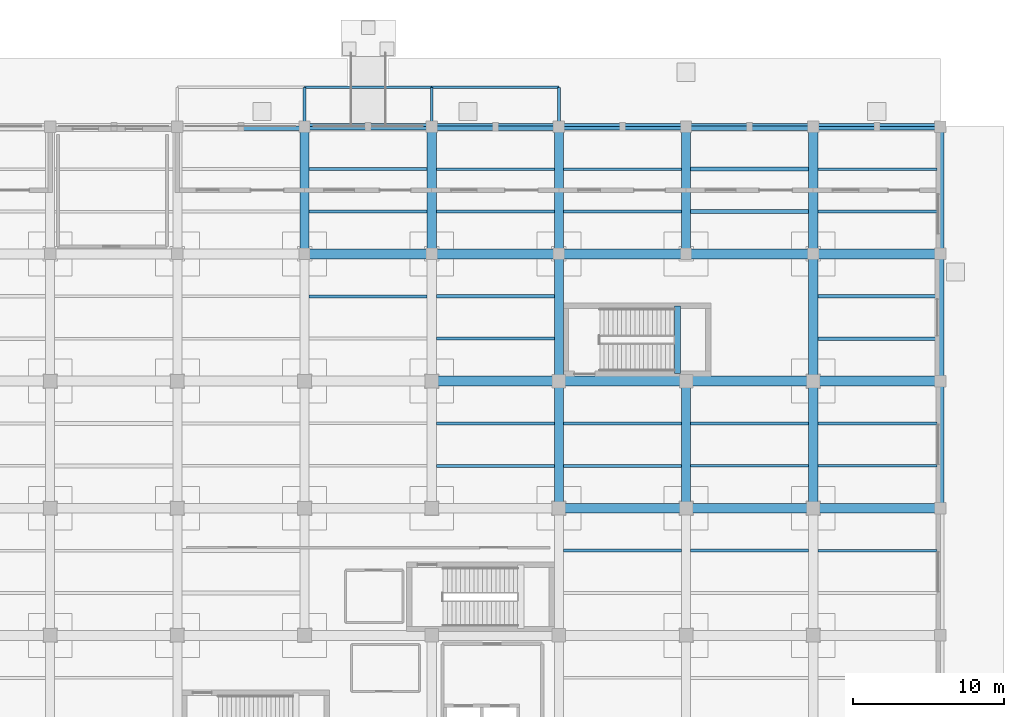
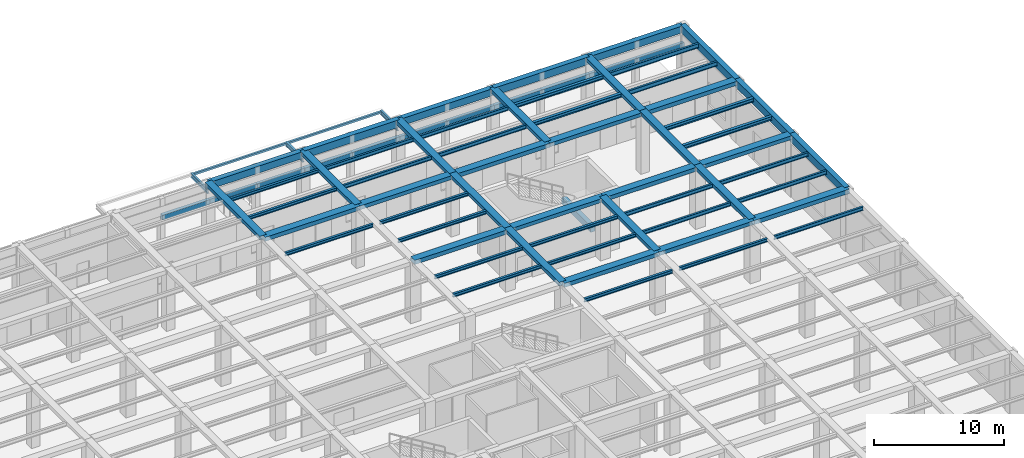
# One storey, part 15 of 43: 71 beams, 2 members.
"""IFC4 building model written with IfcOpenShell, lengths in metres."""

import ifcopenshell
import ifcopenshell.guid

model = None  # the IFC model being written
_history = None  # IfcOwnerHistory: only IFC2X3 demands one
_inside = {}  # id of a spatial element -> (the spatial element, [elements in it])
_under = {}  # id of a project, library or spatial element -> (it, [spatial elements below it])
_declared = {}  # id of a project -> (the project, [libraries it declares])
_typed = {}  # id of a type object -> (the type object, [elements of that type])
_made_of = {}  # id of a material, layer set ... -> (it, [elements and type objects made of it])


def new_model(schema):
    """Start an empty IFC model of exactly this schema.

    Asked for "IFC4X3", IfcOpenShell would pick the latest addendum, in which some entities
    have other attributes; the version numbers below select the first issue.
    IFC2X3 requires an IfcOwnerHistory on every rooted entity: one is made here for all.
    """
    global model, _history
    if schema == "IFC4X3":
        model = ifcopenshell.file(schema_version=(4, 3, 0, 0))
    else:
        model = ifcopenshell.file(schema=schema)
    _inside.clear()
    _under.clear()
    _declared.clear()
    _typed.clear()
    _made_of.clear()
    _history = None
    if model.schema == "IFC2X3":
        org = make("IfcOrganization", Name="unknown")
        user = make(
            "IfcPersonAndOrganization",
            ThePerson=make("IfcPerson", FamilyName="unknown"),
            TheOrganization=org,
        )
        app = make(
            "IfcApplication",
            ApplicationDeveloper=org,
            Version="unknown",
            ApplicationFullName="unknown",
            ApplicationIdentifier="unknown",
        )
        _history = make(
            "IfcOwnerHistory",
            OwningUser=user,
            OwningApplication=app,
            ChangeAction="ADDED",
            CreationDate=0,
        )
    return model


def make(cls, **values):
    """One entity of the class cls with the attributes given. An attribute that is None is left unset."""
    return model.create_entity(
        cls, **{name: value for name, value in values.items() if value is not None}
    )


def rooted(cls, **values):
    """An entity with a GlobalId (a new one), such as an element, a storey or a relation."""
    return make(cls, GlobalId=ifcopenshell.guid.new(), OwnerHistory=_history, **values)


def si_unit(unit_type, name, prefix=None):
    """IfcSIUnit, for example si_unit("LENGTHUNIT", "METRE", prefix="MILLI")."""
    return make("IfcSIUnit", UnitType=unit_type, Prefix=prefix, Name=name)


def assignment(units):
    """IfcUnitAssignment: the units of a project."""
    return None if units is None else make("IfcUnitAssignment", Units=units)


def point(xyz):
    """IfcCartesianPoint."""
    return None if xyz is None else make("IfcCartesianPoint", Coordinates=xyz)


def direction(xyz):
    """IfcDirection."""
    return None if xyz is None else make("IfcDirection", DirectionRatios=xyz)


def frame(location, z_axis=None, x_axis=None):
    """IfcAxis2Placement3D, a coordinate frame: its origin and axes. An axis left out is left unset."""
    return make(
        "IfcAxis2Placement3D",
        Location=point(location),
        Axis=direction(z_axis),
        RefDirection=direction(x_axis),
    )


def frame_2d(location, x_axis=None):
    """IfcAxis2Placement2D, a coordinate frame in the plane: its origin and x axis."""
    return make(
        "IfcAxis2Placement2D", Location=point(location), RefDirection=direction(x_axis)
    )


def origin():
    """The frame at (0, 0, 0) with its axes left unset."""
    return frame((0.0, 0.0, 0.0))


def origin_2d():
    """The frame at (0, 0) in the plane with its x axis left unset."""
    return frame_2d((0.0, 0.0))


def place(relative_to, where):
    """IfcLocalPlacement: puts the frame where relative to a parent placement (None: the world)."""
    return make(
        "IfcLocalPlacement", PlacementRelTo=relative_to, RelativePlacement=where
    )


def context(
    kind, dimensions, precision=None, world=None, true_north=None, identifier=None
):
    """IfcGeometricRepresentationContext, for example the 3D "Model" context."""
    return make(
        "IfcGeometricRepresentationContext",
        ContextIdentifier=identifier,
        ContextType=kind,
        CoordinateSpaceDimension=dimensions,
        Precision=precision,
        WorldCoordinateSystem=world,
        TrueNorth=true_north,
    )


def subcontext(parent, identifier, kind, view, scale=None):
    """IfcGeometricRepresentationSubContext, for example "Body" below "Model"."""
    return make(
        "IfcGeometricRepresentationSubContext",
        ContextIdentifier=identifier,
        ContextType=kind,
        ParentContext=parent,
        TargetScale=scale,
        TargetView=view,
    )


def project(units=None, contexts=None):
    """IfcProject with its units and contexts."""
    return rooted(
        "IfcProject",
        Name="project",
        RepresentationContexts=contexts,
        UnitsInContext=assignment(units),
    )


def spatial(cls, under=None, at=None, **own):
    """A site, building, storey or space (cls), placed at a placement, below another one or the project."""
    s = rooted(cls, ObjectPlacement=at, **own)
    if under is not None:
        _under.setdefault(under.id(), (under, []))[1].append(s)
    return s


def profile(cls, at=None, kind="AREA", **sizes):
    """A parametric profile (cls). Its sizes go by their IFC names, for example OverallWidth=200.0."""
    return make(cls, ProfileType=kind, Position=at, **sizes)


def rectangle(**sizes):
    """IfcRectangleProfileDef."""
    return profile("IfcRectangleProfileDef", **sizes)


def hollow_rectangle(**sizes):
    """IfcRectangleHollowProfileDef."""
    return profile("IfcRectangleHollowProfileDef", **sizes)


def i_section(**sizes):
    """IfcIShapeProfileDef."""
    return profile("IfcIShapeProfileDef", **sizes)


def extrude(swept, where, along, depth):
    """IfcExtrudedAreaSolid: the profile swept, set in the frame where, extruded along a direction by depth."""
    return make(
        "IfcExtrudedAreaSolid",
        SweptArea=swept,
        Position=where,
        ExtrudedDirection=direction(along),
        Depth=depth,
    )


def shape(context_of_items, identifier, shape_type, items):
    """IfcShapeRepresentation: the items that make up one representation, for example the "Body"."""
    return make(
        "IfcShapeRepresentation",
        ContextOfItems=context_of_items,
        RepresentationIdentifier=identifier,
        RepresentationType=shape_type,
        Items=items,
    )


def material(Name=None, Category=None):
    """IfcMaterial."""
    return make("IfcMaterial", Name=Name, Category=Category)


def material_profile(
    of_material, cross_section, Name=None, Category=None, Priority=None
):
    """IfcMaterialProfile: a cross section and its material."""
    return make(
        "IfcMaterialProfile",
        Name=Name,
        Material=of_material,
        Profile=cross_section,
        Priority=Priority,
        Category=Category,
    )


def profile_set(profiles, Name=None, composite=None):
    """IfcMaterialProfileSet."""
    return make(
        "IfcMaterialProfileSet",
        Name=Name,
        MaterialProfiles=profiles,
        CompositeProfile=composite,
    )


def made_of(thing, what):
    """Note that an element or type object is made of a material, layer set ...; save() writes the relation."""
    if what is not None:
        _made_of.setdefault(what.id(), (what, []))[1].append(thing)
    return thing


def type_object(cls, material=None, **own):
    """A type object (cls), such as IfcWallType, which elements share."""
    return made_of(rooted(cls, **own), material)


def element(
    cls,
    number,
    at=None,
    inside=None,
    cuts=None,
    type_object=None,
    material=None,
    context=None,
    identifier="Body",
    shape_type=None,
    held_by="IfcProductDefinitionShape",
    body=None,
    shapes=None,
    **own,
):
    """One element of the class cls, such as IfcWall. Its Tag is "e" and its number.

    at: its placement. inside: the storey or other place that contains it. cuts: it is an
    opening in that element (IfcRelVoidsElement). A single representation is given by context,
    identifier, shape_type and body (its items); several are given by shapes. held_by: the class
    of the entity that holds the representations. save() writes the other relations.
    """
    e = rooted(cls, Tag="e%d" % number, ObjectPlacement=at, **own)
    if body is not None:
        shapes = [shape(context, identifier, shape_type, body)]
    if shapes is not None:
        e.Representation = make(held_by, Representations=shapes)
    if inside is not None:
        _inside.setdefault(inside.id(), (inside, []))[1].append(e)
    if cuts is not None:
        rooted(
            "IfcRelVoidsElement", RelatingBuildingElement=cuts, RelatedOpeningElement=e
        )
    if type_object is not None:
        _typed.setdefault(type_object.id(), (type_object, []))[1].append(e)
    return made_of(e, material)


def aggregate(whole, parts):
    """IfcRelAggregates: a whole, such as a stair, and the parts it consists of."""
    return rooted("IfcRelAggregates", RelatingObject=whole, RelatedObjects=parts)


def save(model, path):
    """Write the relations noted so far, then the file.

    IfcRelAggregates (storeys below a building ...), IfcRelContainedInSpatialStructure (elements
    in a storey), IfcRelDefinesByType, IfcRelAssociatesMaterial and IfcRelDeclares: one each for
    every whole, place, type object, material and project.
    """
    for whole, parts in _under.values():
        aggregate(whole, parts)
    for where, things in _inside.values():
        rooted(
            "IfcRelContainedInSpatialStructure",
            RelatedElements=things,
            RelatingStructure=where,
        )
    for kind, things in _typed.values():
        rooted("IfcRelDefinesByType", RelatedObjects=things, RelatingType=kind)
    for what, things in _made_of.values():
        rooted("IfcRelAssociatesMaterial", RelatedObjects=things, RelatingMaterial=what)
    for by, libraries in _declared.values():
        rooted("IfcRelDeclares", RelatingContext=by, RelatedDefinitions=libraries)
    model.write(path)


model = new_model("IFC4")

# Units and contexts
model_context = context("Model", 3, precision=1e-05, world=origin(), true_north=direction((0.0, 1.0)))
body_context = subcontext(model_context, "Body", "Model", "MODEL_VIEW")
ifc_project = project(units=[si_unit("LENGTHUNIT", "METRE"), si_unit("AREAUNIT", "SQUARE_METRE"), si_unit("VOLUMEUNIT", "CUBIC_METRE"), si_unit("PLANEANGLEUNIT", "RADIAN"), si_unit("MASSUNIT", "GRAM", prefix="KILO")], contexts=[model_context])

# Site, building, storey
site_placement = place(None, origin())
site = spatial("IfcSite", under=ifc_project, at=site_placement, CompositionType="ELEMENT")
building_placement = place(site_placement, origin())
building = spatial("IfcBuilding", under=site, at=building_placement, Name="Almacenes y Pasaje Nevantli", CompositionType="ELEMENT")
storey_placement = place(building_placement, origin())
storey = spatial("IfcBuildingStorey", under=building, at=storey_placement, Name="L01", CompositionType="ELEMENT", Elevation=0.0)

# Beams
ifc_material_1 = material(Name="Concrete C35/45", Category="concrete")
ifc_material_profile_1 = material_profile(ifc_material_1, rectangle(XDim=0.39990234375, YDim=0.60009765625, at=origin_2d()), Name="RC-BM-400x600")
ifc_profile_set_1 = profile_set([ifc_material_profile_1], Name="Concrete C35/45")
beam_type_1 = type_object("IfcBeamType", Name="BM-RC-400x600", PredefinedType="SPANDREL", material=ifc_profile_set_1)
beam_1_placement = place(storey_placement, frame((150.6298828125, 101.300048828125, 2.5), z_axis=(0.0, 1.0, 0.0), x_axis=(-1.0, 0.0, 0.0)))
element("IfcBeam", 1, at=beam_1_placement, inside=storey, type_object=beam_type_1, Name="L01 Stair ST-07 Half-Landing Support Beam", PredefinedType="SPANDREL", context=body_context, shape_type="SweptSolid", body=[
    extrude(rectangle(XDim=0.39990234375, YDim=0.60009765625, at=origin_2d()), origin(), (0.0, 0.0, 1.0), 4.449951171875),
])
ifc_material_2 = material(Name="Concrete C35/45", Category="concrete")
ifc_material_profile_2 = material_profile(ifc_material_2, rectangle(XDim=0.449951171875, YDim=0.64990234375, at=origin_2d()), Name="RC-BM-450x650")
ifc_profile_set_2 = profile_set([ifc_material_profile_2], Name="Concrete C35/45")
beam_type_2 = type_object("IfcBeamType", Name="BM-RC-450x650", PredefinedType="SPANDREL", material=ifc_profile_set_2)
for number, where, z_axis, x_axis, name in (
    (2, (126.0, 117.60009765625, 5.375), (1.0, 0.0, 0.0), (0.0, 1.0, 0.0), "L01 East-West Reinforced Concrete Beam #1447"),
    (3, (142.800048828125, 117.60009765625, 5.375), (1.0, 0.0, 0.0), (0.0, 1.0, 0.0), "L01 East-West Reinforced Concrete Beam #1449"),
    (4, (159.60009765625, 117.60009765625, 5.375), (1.0, 0.0, 0.0), (0.0, 1.0, 0.0), "L01 East-West Reinforced Concrete Beam #1451"),
):
    element("IfcBeam", number, at=place(storey_placement, frame(where, z_axis=z_axis, x_axis=x_axis)), inside=storey, type_object=beam_type_2, Name=name, PredefinedType="SPANDREL", context=body_context, shape_type="SweptSolid", body=[
        extrude(rectangle(XDim=0.449951171875, YDim=0.64990234375, at=origin_2d()), origin(), (0.0, 0.0, 1.0), 8.39990234375),
    ])
ifc_material_3 = material(Name="Concrete C35/45", Category="concrete")
ifc_material_profile_3 = material_profile(ifc_material_3, rectangle(XDim=0.449951171875, YDim=0.699951171875, at=origin_2d()), Name="RC-BM-450x700")
ifc_profile_set_3 = profile_set([ifc_material_profile_3], Name="Concrete C35/45")
beam_type_3 = type_object("IfcBeamType", Name="BM-RC-450x700", PredefinedType="SPANDREL", material=ifc_profile_set_3)
for number, where, z_axis, x_axis, name in (
    (5, (134.39990234375, 117.60009765625, 5.35009765625), (1.0, 0.0, 0.0), (0.0, 1.0, 0.0), "L01 East-West Reinforced Concrete Beam #1448"),
    (6, (151.199951171875, 117.60009765625, 5.35009765625), (1.0, 0.0, 0.0), (0.0, 1.0, 0.0), "L01 East-West Reinforced Concrete Beam #1450"),
    (7, (168.0, 92.39990234375, 5.35009765625), (0.0, 1.0, 0.0), (-1.0, 0.0, 0.0), "L01 North-South Reinforced Concrete Beam #1686"),
):
    element("IfcBeam", number, at=place(storey_placement, frame(where, z_axis=z_axis, x_axis=x_axis)), inside=storey, type_object=beam_type_3, Name=name, PredefinedType="SPANDREL", context=body_context, shape_type="SweptSolid", body=[
        extrude(rectangle(XDim=0.449951171875, YDim=0.699951171875, at=origin_2d()), origin(), (0.0, 0.0, 1.0), 8.400146484375),
    ])
beam_2_placement = place(storey_placement, frame((168.0, 100.800048828125, 5.35009765625), z_axis=(0.0, 1.0, 0.0), x_axis=(-1.0, 0.0, 0.0)))
element("IfcBeam", 8, at=beam_2_placement, inside=storey, type_object=beam_type_3, Name="L01 North-South Reinforced Concrete Beam #1687", PredefinedType="SPANDREL", context=body_context, shape_type="SweptSolid", body=[
    extrude(rectangle(XDim=0.449951171875, YDim=0.699951171875, at=origin_2d()), origin(), (0.0, 0.0, 1.0), 8.39990234375),
])
beam_3_placement = place(storey_placement, frame((168.0, 109.199951171875, 5.35009765625), z_axis=(0.0, 1.0, 0.0), x_axis=(-1.0, 0.0, 0.0)))
element("IfcBeam", 9, at=beam_3_placement, inside=storey, type_object=beam_type_3, Name="L01 North-South Reinforced Concrete Beam #1688", PredefinedType="SPANDREL", context=body_context, shape_type="SweptSolid", body=[
    extrude(rectangle(XDim=0.449951171875, YDim=0.699951171875, at=origin_2d()), origin(), (0.0, 0.0, 1.0), 8.400146484375),
])
ifc_material_4 = material(Name="Concrete C35/45", Category="concrete")
ifc_material_profile_4 = material_profile(ifc_material_4, rectangle(XDim=0.60009765625, YDim=0.320068359375, at=origin_2d()), Name="RC-BM-600x320")
ifc_profile_set_4 = profile_set([ifc_material_profile_4], Name="Concrete C35/45")
beam_type_4 = type_object("IfcBeamType", Name="BM-RC-600x320", PredefinedType="BEAM", material=ifc_profile_set_4)
beam_4_placement = place(storey_placement, frame((134.39990234375, 109.199951171875, 5.5400390625), z_axis=(0.0, 1.0, 0.0), x_axis=(-1.0, 0.0, 0.0)))
element("IfcBeam", 10, at=beam_4_placement, inside=storey, type_object=beam_type_4, Name="L01 North-South Reinforced Concrete Beam #1633", PredefinedType="BEAM", context=body_context, shape_type="SweptSolid", body=[
    extrude(rectangle(XDim=0.60009765625, YDim=0.320068359375, at=origin_2d()), origin(), (0.0, 0.0, 1.0), 8.400146484375),
])
beam_5_placement = place(storey_placement, frame((142.800048828125, 100.800048828125, 5.5400390625), z_axis=(0.0, 1.0, 0.0), x_axis=(-1.0, 0.0, 0.0)))
element("IfcBeam", 11, at=beam_5_placement, inside=storey, type_object=beam_type_4, Name="L01 North-South Reinforced Concrete Beam #1646", PredefinedType="BEAM", context=body_context, shape_type="SweptSolid", body=[
    extrude(rectangle(XDim=0.60009765625, YDim=0.320068359375, at=origin_2d()), origin(), (0.0, 0.0, 1.0), 8.39990234375),
])
for number, where, z_axis, x_axis, name in (
    (12, (151.199951171875, 92.39990234375, 5.5400390625), (0.0, 1.0, 0.0), (-1.0, 0.0, 0.0), "L01 North-South Reinforced Concrete Beam #1659"),
    (13, (151.199951171875, 109.199951171875, 5.5400390625), (0.0, 1.0, 0.0), (-1.0, 0.0, 0.0), "L01 North-South Reinforced Concrete Beam #1660"),
):
    element("IfcBeam", number, at=place(storey_placement, frame(where, z_axis=z_axis, x_axis=x_axis)), inside=storey, type_object=beam_type_4, Name=name, PredefinedType="BEAM", context=body_context, shape_type="SweptSolid", body=[
        extrude(rectangle(XDim=0.60009765625, YDim=0.320068359375, at=origin_2d()), origin(), (0.0, 0.0, 1.0), 8.400146484375),
    ])
beam_6_placement = place(storey_placement, frame((159.60009765625, 100.800048828125, 5.5400390625), z_axis=(0.0, 1.0, 0.0), x_axis=(-1.0, 0.0, 0.0)))
element("IfcBeam", 14, at=beam_6_placement, inside=storey, type_object=beam_type_4, Name="L01 North-South Reinforced Concrete Beam #1673", PredefinedType="BEAM", context=body_context, shape_type="SweptSolid", body=[
    extrude(rectangle(XDim=0.60009765625, YDim=0.320068359375, at=origin_2d()), origin(), (0.0, 0.0, 1.0), 8.39990234375),
])
ifc_material_5 = material(Name="Concrete C35/45", Category="concrete")
ifc_material_profile_5 = material_profile(ifc_material_5, rectangle(XDim=0.60009765625, YDim=0.340087890625, at=origin_2d()), Name="RC-BM-600x340")
ifc_profile_set_5 = profile_set([ifc_material_profile_5], Name="Concrete C35/45")
beam_type_5 = type_object("IfcBeamType", Name="BM-RC-600x340", PredefinedType="BEAM", material=ifc_profile_set_5)
for number, where, z_axis, x_axis, name in (
    (15, (126.0, 109.199951171875, 5.530029296875), (0.0, 1.0, 0.0), (-1.0, 0.0, 0.0), "L01 North-South Reinforced Concrete Beam #1621"),
    (16, (142.800048828125, 92.39990234375, 5.530029296875), (0.0, 1.0, 0.0), (-1.0, 0.0, 0.0), "L01 North-South Reinforced Concrete Beam #1645"),
    (17, (142.800048828125, 109.199951171875, 5.530029296875), (0.0, 1.0, 0.0), (-1.0, 0.0, 0.0), "L01 North-South Reinforced Concrete Beam #1647"),
    (18, (159.60009765625, 92.39990234375, 5.530029296875), (0.0, 1.0, 0.0), (-1.0, 0.0, 0.0), "L01 North-South Reinforced Concrete Beam #1672"),
    (19, (159.60009765625, 109.199951171875, 5.530029296875), (0.0, 1.0, 0.0), (-1.0, 0.0, 0.0), "L01 North-South Reinforced Concrete Beam #1674"),
):
    element("IfcBeam", number, at=place(storey_placement, frame(where, z_axis=z_axis, x_axis=x_axis)), inside=storey, type_object=beam_type_5, Name=name, PredefinedType="BEAM", context=body_context, shape_type="SweptSolid", body=[
        extrude(rectangle(XDim=0.60009765625, YDim=0.340087890625, at=origin_2d()), origin(), (0.0, 0.0, 1.0), 8.400146484375),
    ])
ifc_material_6 = material(Name="Concrete C35/45", Category="concrete")
ifc_material_profile_6 = material_profile(ifc_material_6, rectangle(XDim=0.64990234375, YDim=0.35009765625, at=origin_2d()), Name="RC-BM-650x350")
ifc_profile_set_6 = profile_set([ifc_material_profile_6], Name="Concrete C35/45")
beam_type_6 = type_object("IfcBeamType", Name="BM-RC-650x350", PredefinedType="BEAM", material=ifc_profile_set_6)
beam_7_placement = place(storey_placement, frame((151.199951171875, 92.39990234375, 5.52490234375), z_axis=(1.0, 0.0, 0.0), x_axis=(0.0, 1.0, 0.0)))
element("IfcBeam", 20, at=beam_7_placement, inside=storey, type_object=beam_type_6, Name="L01 East-West Reinforced Concrete Beam #1396", PredefinedType="BEAM", context=body_context, shape_type="SweptSolid", body=[
    extrude(rectangle(XDim=0.64990234375, YDim=0.35009765625, at=origin_2d()), origin(), (0.0, 0.0, 1.0), 8.400146484375),
])
for number, where, z_axis, x_axis, name in (
    (21, (142.800048828125, 100.800048828125, 5.52490234375), (1.0, 0.0, 0.0), (0.0, 1.0, 0.0), "L01 East-West Reinforced Concrete Beam #1412"),
    (22, (159.60009765625, 100.800048828125, 5.52490234375), (1.0, 0.0, 0.0), (0.0, 1.0, 0.0), "L01 East-West Reinforced Concrete Beam #1414"),
):
    element("IfcBeam", number, at=place(storey_placement, frame(where, z_axis=z_axis, x_axis=x_axis)), inside=storey, type_object=beam_type_6, Name=name, PredefinedType="BEAM", context=body_context, shape_type="SweptSolid", body=[
        extrude(rectangle(XDim=0.64990234375, YDim=0.35009765625, at=origin_2d()), origin(), (0.0, 0.0, 1.0), 8.39990234375),
    ])
for number, where, z_axis, x_axis, name in (
    (23, (134.39990234375, 109.199951171875, 5.52490234375), (1.0, 0.0, 0.0), (0.0, 1.0, 0.0), "L01 East-West Reinforced Concrete Beam #1428"),
    (24, (151.199951171875, 109.199951171875, 5.52490234375), (1.0, 0.0, 0.0), (0.0, 1.0, 0.0), "L01 East-West Reinforced Concrete Beam #1430"),
):
    element("IfcBeam", number, at=place(storey_placement, frame(where, z_axis=z_axis, x_axis=x_axis)), inside=storey, type_object=beam_type_6, Name=name, PredefinedType="BEAM", context=body_context, shape_type="SweptSolid", body=[
        extrude(rectangle(XDim=0.64990234375, YDim=0.35009765625, at=origin_2d()), origin(), (0.0, 0.0, 1.0), 8.400146484375),
    ])
ifc_material_7 = material(Name="Concrete C35/45", Category="concrete")
ifc_material_profile_7 = material_profile(ifc_material_7, rectangle(XDim=0.64990234375, YDim=0.3798828125, at=origin_2d()), Name="RC-BM-650x380")
ifc_profile_set_7 = profile_set([ifc_material_profile_7], Name="Concrete C35/45")
beam_type_7 = type_object("IfcBeamType", Name="BM-RC-650x380", PredefinedType="BEAM", material=ifc_profile_set_7)
for number, where, z_axis, x_axis, name in (
    (25, (142.800048828125, 92.39990234375, 5.510009765625), (1.0, 0.0, 0.0), (0.0, 1.0, 0.0), "L01 East-West Reinforced Concrete Beam #1395"),
    (26, (159.60009765625, 92.39990234375, 5.510009765625), (1.0, 0.0, 0.0), (0.0, 1.0, 0.0), "L01 East-West Reinforced Concrete Beam #1397"),
):
    element("IfcBeam", number, at=place(storey_placement, frame(where, z_axis=z_axis, x_axis=x_axis)), inside=storey, type_object=beam_type_7, Name=name, PredefinedType="BEAM", context=body_context, shape_type="SweptSolid", body=[
        extrude(rectangle(XDim=0.64990234375, YDim=0.3798828125, at=origin_2d()), origin(), (0.0, 0.0, 1.0), 8.39990234375),
    ])
for number, where, z_axis, x_axis, name in (
    (27, (134.39990234375, 100.800048828125, 5.510009765625), (1.0, 0.0, 0.0), (0.0, 1.0, 0.0), "L01 East-West Reinforced Concrete Beam #1411"),
    (28, (151.199951171875, 100.800048828125, 5.510009765625), (1.0, 0.0, 0.0), (0.0, 1.0, 0.0), "L01 East-West Reinforced Concrete Beam #1413"),
):
    element("IfcBeam", number, at=place(storey_placement, frame(where, z_axis=z_axis, x_axis=x_axis)), inside=storey, type_object=beam_type_7, Name=name, PredefinedType="BEAM", context=body_context, shape_type="SweptSolid", body=[
        extrude(rectangle(XDim=0.64990234375, YDim=0.3798828125, at=origin_2d()), origin(), (0.0, 0.0, 1.0), 8.400146484375),
    ])
for number, where, z_axis, x_axis, name in (
    (29, (126.0, 109.199951171875, 5.510009765625), (1.0, 0.0, 0.0), (0.0, 1.0, 0.0), "L01 East-West Reinforced Concrete Beam #1427"),
    (30, (142.800048828125, 109.199951171875, 5.510009765625), (1.0, 0.0, 0.0), (0.0, 1.0, 0.0), "L01 East-West Reinforced Concrete Beam #1429"),
    (31, (159.60009765625, 109.199951171875, 5.510009765625), (1.0, 0.0, 0.0), (0.0, 1.0, 0.0), "L01 East-West Reinforced Concrete Beam #1431"),
):
    element("IfcBeam", number, at=place(storey_placement, frame(where, z_axis=z_axis, x_axis=x_axis)), inside=storey, type_object=beam_type_7, Name=name, PredefinedType="BEAM", context=body_context, shape_type="SweptSolid", body=[
        extrude(rectangle(XDim=0.64990234375, YDim=0.3798828125, at=origin_2d()), origin(), (0.0, 0.0, 1.0), 8.39990234375),
    ])
ifc_material_8 = material(Name="Concrete C35/45", Category="concrete")
ifc_material_profile_8 = material_profile(ifc_material_8, rectangle(XDim=0.25, YDim=0.39990234375, at=origin_2d()), Name="RC-LIN-250x400")
ifc_profile_set_8 = profile_set([ifc_material_profile_8], Name="Concrete C35/45")
beam_type_8 = type_object("IfcBeamType", Name="BM-RC-LIN250", PredefinedType="LINTEL", material=ifc_profile_set_8)
for number, where, z_axis, x_axis, name in (
    (32, (126.0, 117.5, 3.89990234375), (1.0, 0.0, 0.0), (0.0, 1.0, 0.0), "L01 Boulevard Portales Architrave Beam 16A"),
    (33, (130.199951171875, 117.5, 3.89990234375), (1.0, 0.0, 0.0), (0.0, 1.0, 0.0), "L01 Boulevard Portales Architrave Beam 16B"),
    (34, (142.800048828125, 117.5, 3.89990234375), (1.0, 0.0, 0.0), (0.0, 1.0, 0.0), "L01 Boulevard Portales Architrave Beam 18A"),
    (35, (147.0, 117.5, 3.89990234375), (1.0, 0.0, 0.0), (0.0, 1.0, 0.0), "L01 Boulevard Portales Architrave Beam 18B"),
    (36, (159.60009765625, 117.5, 3.89990234375), (1.0, 0.0, 0.0), (0.0, 1.0, 0.0), "L01 Boulevard Portales Architrave Beam 20A"),
    (37, (163.800048828125, 117.5, 3.89990234375), (1.0, 0.0, 0.0), (0.0, 1.0, 0.0), "L01 Boulevard Portales Architrave Beam 20B"),
):
    element("IfcBeam", number, at=place(storey_placement, frame(where, z_axis=z_axis, x_axis=x_axis)), inside=storey, type_object=beam_type_8, Name=name, PredefinedType="LINTEL", context=body_context, shape_type="SweptSolid", body=[
        extrude(rectangle(XDim=0.25, YDim=0.39990234375, at=origin_2d()), origin(), (0.0, 0.0, 1.0), 4.199951171875),
    ])
ifc_material_9 = material(Name="Concrete C35/45", Category="concrete")
ifc_material_profile_9 = material_profile(ifc_material_9, rectangle(XDim=0.300048828125, YDim=0.449951171875, at=origin_2d()), Name="RC-LIN-300x450")
ifc_profile_set_9 = profile_set([ifc_material_profile_9], Name="Concrete C35/45")
beam_type_9 = type_object("IfcBeamType", Name="BM-RC-LIN300", PredefinedType="LINTEL", material=ifc_profile_set_9)
beam_8_placement = place(storey_placement, frame((121.800048828125, 117.5, 3.875), z_axis=(1.0, 0.0, 0.0), x_axis=(0.0, 1.0, 0.0)))
element("IfcBeam", 38, at=beam_8_placement, inside=storey, type_object=beam_type_9, Name="L01 Boulevard Portales Architrave Beam 15B", PredefinedType="LINTEL", context=body_context, shape_type="SweptSolid", body=[
    extrude(rectangle(XDim=0.300048828125, YDim=0.449951171875, at=origin_2d()), origin(), (0.0, 0.0, 1.0), 4.199951171875),
])
beam_9_placement = place(storey_placement, frame((134.39990234375, 117.5, 3.875), z_axis=(1.0, 0.0, 0.0), x_axis=(0.0, 1.0, 0.0)))
element("IfcBeam", 39, at=beam_9_placement, inside=storey, type_object=beam_type_9, Name="L01 Boulevard Portales Architrave Beam 17A", PredefinedType="LINTEL", context=body_context, shape_type="SweptSolid", body=[
    extrude(rectangle(XDim=0.300048828125, YDim=0.449951171875, at=origin_2d()), origin(), (0.0, 0.0, 1.0), 4.2001953125),
])
for number, where, z_axis, x_axis, name in (
    (40, (138.60009765625, 117.5, 3.875), (1.0, 0.0, 0.0), (0.0, 1.0, 0.0), "L01 Boulevard Portales Architrave Beam 17B"),
    (41, (151.199951171875, 117.5, 3.875), (1.0, 0.0, 0.0), (0.0, 1.0, 0.0), "L01 Boulevard Portales Architrave Beam 19A"),
):
    element("IfcBeam", number, at=place(storey_placement, frame(where, z_axis=z_axis, x_axis=x_axis)), inside=storey, type_object=beam_type_9, Name=name, PredefinedType="LINTEL", context=body_context, shape_type="SweptSolid", body=[
        extrude(rectangle(XDim=0.300048828125, YDim=0.449951171875, at=origin_2d()), origin(), (0.0, 0.0, 1.0), 4.199951171875),
    ])
beam_10_placement = place(storey_placement, frame((155.39990234375, 117.5, 3.875), z_axis=(1.0, 0.0, 0.0), x_axis=(0.0, 1.0, 0.0)))
element("IfcBeam", 42, at=beam_10_placement, inside=storey, type_object=beam_type_9, Name="L01 Boulevard Portales Architrave Beam 19B", PredefinedType="LINTEL", context=body_context, shape_type="SweptSolid", body=[
    extrude(rectangle(XDim=0.300048828125, YDim=0.449951171875, at=origin_2d()), origin(), (0.0, 0.0, 1.0), 4.2001953125),
])
ifc_material_10 = material(Name="Steel ASTM A992", Category="steel")
ifc_material_profile_10 = material_profile(ifc_material_10, i_section(OverallWidth=0.202880859375, OverallDepth=0.304931640625, WebThickness=0.007568359375, FlangeThickness=0.01318359375, at=origin_2d()), Name="IR 305x59.5")
ifc_profile_set_10 = profile_set([ifc_material_profile_10], Name="Steel ASTM A992")
beam_type_10 = type_object("IfcBeamType", Name="BM-STL-IR-305x59p5", PredefinedType="JOIST", material=ifc_profile_set_10)
for number, where, z_axis, x_axis, name in (
    (43, (126.300048828125, 106.39990234375, 5.53955078125), (1.0, 0.0, 0.0), (0.0, 1.0, 0.0), "L01 Secondary Steel Floor Joist #236"),
    (44, (134.699951171875, 95.199951171875, 5.53955078125), (1.0, 0.0, 0.0), (0.0, 1.0, 0.0), "L01 Secondary Steel Floor Joist #255"),
    (45, (134.699951171875, 98.0, 5.53955078125), (1.0, 0.0, 0.0), (0.0, 1.0, 0.0), "L01 Secondary Steel Floor Joist #256"),
):
    element("IfcBeam", number, at=place(storey_placement, frame(where, z_axis=z_axis, x_axis=x_axis)), inside=storey, type_object=beam_type_10, Name=name, PredefinedType="JOIST", context=body_context, shape_type="SweptSolid", body=[
        extrude(i_section(OverallWidth=0.202880859375, OverallDepth=0.304931640625, WebThickness=0.007568359375, FlangeThickness=0.01318359375, at=origin_2d()), origin(), (0.0, 0.0, 1.0), 7.800048828125),
    ])
beam_11_placement = place(storey_placement, frame((143.10009765625, 89.60009765625, 5.53955078125), z_axis=(1.0, 0.0, 0.0), x_axis=(0.0, 1.0, 0.0)))
element("IfcBeam", 46, at=beam_11_placement, inside=storey, type_object=beam_type_10, Name="L01 Secondary Steel Floor Joist #280", PredefinedType="JOIST", context=body_context, shape_type="SweptSolid", body=[
    extrude(i_section(OverallWidth=0.202880859375, OverallDepth=0.304931640625, WebThickness=0.007568359375, FlangeThickness=0.01318359375, at=origin_2d()), origin(), (0.0, 0.0, 1.0), 7.7998046875),
])
ifc_material_11 = material(Name="Steel ASTM A992", Category="steel")
ifc_material_profile_11 = material_profile(ifc_material_11, i_section(OverallWidth=0.205078125, OverallDepth=0.31005859375, WebThickness=0.009521484375, FlangeThickness=0.016357421875, at=origin_2d()), Name="IR 305x74.4")
ifc_profile_set_11 = profile_set([ifc_material_profile_11], Name="Steel ASTM A992")
beam_type_11 = type_object("IfcBeamType", Name="BM-STL-IR-305x74p4", PredefinedType="JOIST", material=ifc_profile_set_11)
for number, where, z_axis, x_axis, name in (
    (47, (126.300048828125, 112.0, 5.537109375), (1.0, 0.0, 0.0), (0.0, 1.0, 0.0), "L01 Secondary Steel Floor Joist #237"),
    (48, (126.300048828125, 114.800048828125, 5.537109375), (1.0, 0.0, 0.0), (0.0, 1.0, 0.0), "L01 Secondary Steel Floor Joist #238"),
    (49, (134.699951171875, 103.60009765625, 5.537109375), (1.0, 0.0, 0.0), (0.0, 1.0, 0.0), "L01 Secondary Steel Floor Joist #257"),
    (50, (134.699951171875, 106.39990234375, 5.537109375), (1.0, 0.0, 0.0), (0.0, 1.0, 0.0), "L01 Secondary Steel Floor Joist #258"),
):
    element("IfcBeam", number, at=place(storey_placement, frame(where, z_axis=z_axis, x_axis=x_axis)), inside=storey, type_object=beam_type_11, Name=name, PredefinedType="JOIST", context=body_context, shape_type="SweptSolid", body=[
        extrude(i_section(OverallWidth=0.205078125, OverallDepth=0.31005859375, WebThickness=0.009521484375, FlangeThickness=0.016357421875, at=origin_2d()), origin(), (0.0, 0.0, 1.0), 7.800048828125),
    ])
for number, where, z_axis, x_axis, name in (
    (51, (143.10009765625, 95.199951171875, 5.537109375), (1.0, 0.0, 0.0), (0.0, 1.0, 0.0), "L01 Secondary Steel Floor Joist #281"),
    (52, (143.10009765625, 98.0, 5.537109375), (1.0, 0.0, 0.0), (0.0, 1.0, 0.0), "L01 Secondary Steel Floor Joist #282"),
):
    element("IfcBeam", number, at=place(storey_placement, frame(where, z_axis=z_axis, x_axis=x_axis)), inside=storey, type_object=beam_type_11, Name=name, PredefinedType="JOIST", context=body_context, shape_type="SweptSolid", body=[
        extrude(i_section(OverallWidth=0.205078125, OverallDepth=0.31005859375, WebThickness=0.009521484375, FlangeThickness=0.016357421875, at=origin_2d()), origin(), (0.0, 0.0, 1.0), 7.7998046875),
    ])
beam_12_placement = place(storey_placement, frame((151.5, 89.60009765625, 5.537109375), z_axis=(1.0, 0.0, 0.0), x_axis=(0.0, 1.0, 0.0)))
element("IfcBeam", 53, at=beam_12_placement, inside=storey, type_object=beam_type_11, Name="L01 Secondary Steel Floor Joist #306", PredefinedType="JOIST", context=body_context, shape_type="SweptSolid", body=[
    extrude(i_section(OverallWidth=0.205078125, OverallDepth=0.31005859375, WebThickness=0.009521484375, FlangeThickness=0.016357421875, at=origin_2d()), origin(), (0.0, 0.0, 1.0), 7.800048828125),
])
ifc_material_12 = material(Name="Steel ASTM A992", Category="steel")
ifc_material_profile_12 = material_profile(ifc_material_12, i_section(OverallWidth=0.173095703125, OverallDepth=0.35302734375, WebThickness=0.0078125, FlangeThickness=0.01318359375, at=origin_2d()), Name="IR 356x56.6")
ifc_profile_set_12 = profile_set([ifc_material_profile_12], Name="Steel ASTM A992")
beam_type_12 = type_object("IfcBeamType", Name="BM-STL-IR-356x56p6", PredefinedType="JOIST", material=ifc_profile_set_12)
for number, where, z_axis, x_axis, name in (
    (54, (134.699951171875, 112.0, 5.515380859375), (1.0, 0.0, 0.0), (0.0, 1.0, 0.0), "L01 Secondary Steel Floor Joist #259"),
    (55, (134.699951171875, 114.800048828125, 5.515380859375), (1.0, 0.0, 0.0), (0.0, 1.0, 0.0), "L01 Secondary Steel Floor Joist #260"),
    (56, (151.5, 95.199951171875, 5.515380859375), (1.0, 0.0, 0.0), (0.0, 1.0, 0.0), "L01 Secondary Steel Floor Joist #307"),
    (57, (151.5, 98.0, 5.515380859375), (1.0, 0.0, 0.0), (0.0, 1.0, 0.0), "L01 Secondary Steel Floor Joist #308"),
):
    element("IfcBeam", number, at=place(storey_placement, frame(where, z_axis=z_axis, x_axis=x_axis)), inside=storey, type_object=beam_type_12, Name=name, PredefinedType="JOIST", context=body_context, shape_type="SweptSolid", body=[
        extrude(i_section(OverallWidth=0.173095703125, OverallDepth=0.35302734375, WebThickness=0.0078125, FlangeThickness=0.01318359375, at=origin_2d()), origin(), (0.0, 0.0, 1.0), 7.800048828125),
    ])
beam_13_placement = place(storey_placement, frame((159.89990234375, 89.60009765625, 5.515380859375), z_axis=(1.0, 0.0, 0.0), x_axis=(0.0, 1.0, 0.0)))
element("IfcBeam", 58, at=beam_13_placement, inside=storey, type_object=beam_type_12, Name="L01 Secondary Steel Floor Joist #332", PredefinedType="JOIST", context=body_context, shape_type="SweptSolid", body=[
    extrude(i_section(OverallWidth=0.173095703125, OverallDepth=0.35302734375, WebThickness=0.0078125, FlangeThickness=0.01318359375, at=origin_2d()), origin(), (0.0, 0.0, 1.0), 7.875),
])
ifc_material_13 = material(Name="Steel ASTM A992", Category="steel")
ifc_material_profile_13 = material_profile(ifc_material_13, i_section(OverallWidth=0.173095703125, OverallDepth=0.364013671875, WebThickness=0.009033203125, FlangeThickness=0.015625, at=origin_2d()), Name="IR 356x67.0")
ifc_profile_set_13 = profile_set([ifc_material_profile_13], Name="Steel ASTM A992")
beam_type_13 = type_object("IfcBeamType", Name="BM-STL-IR-356x67p0", PredefinedType="JOIST", material=ifc_profile_set_13)
for number, where, z_axis, x_axis, name in (
    (59, (143.10009765625, 112.0, 5.510009765625), (1.0, 0.0, 0.0), (0.0, 1.0, 0.0), "L01 Secondary Steel Floor Joist #283"),
    (60, (143.10009765625, 114.800048828125, 5.510009765625), (1.0, 0.0, 0.0), (0.0, 1.0, 0.0), "L01 Secondary Steel Floor Joist #284"),
):
    element("IfcBeam", number, at=place(storey_placement, frame(where, z_axis=z_axis, x_axis=x_axis)), inside=storey, type_object=beam_type_13, Name=name, PredefinedType="JOIST", context=body_context, shape_type="SweptSolid", body=[
        extrude(i_section(OverallWidth=0.173095703125, OverallDepth=0.364013671875, WebThickness=0.009033203125, FlangeThickness=0.015625, at=origin_2d()), origin(), (0.0, 0.0, 1.0), 7.7998046875),
    ])
for number, where, z_axis, x_axis, name in (
    (61, (159.89990234375, 95.199951171875, 5.510009765625), (1.0, 0.0, 0.0), (0.0, 1.0, 0.0), "L01 Secondary Steel Floor Joist #333"),
    (62, (159.89990234375, 98.0, 5.510009765625), (1.0, 0.0, 0.0), (0.0, 1.0, 0.0), "L01 Secondary Steel Floor Joist #334"),
):
    element("IfcBeam", number, at=place(storey_placement, frame(where, z_axis=z_axis, x_axis=x_axis)), inside=storey, type_object=beam_type_13, Name=name, PredefinedType="JOIST", context=body_context, shape_type="SweptSolid", body=[
        extrude(i_section(OverallWidth=0.173095703125, OverallDepth=0.364013671875, WebThickness=0.009033203125, FlangeThickness=0.015625, at=origin_2d()), origin(), (0.0, 0.0, 1.0), 7.875),
    ])
ifc_material_14 = material(Name="Steel ASTM A992", Category="steel")
ifc_material_profile_14 = material_profile(ifc_material_14, i_section(OverallWidth=0.25390625, OverallDepth=0.35595703125, WebThickness=0.009521484375, FlangeThickness=0.016357421875, at=origin_2d()), Name="IR 356x79.0")
ifc_profile_set_14 = profile_set([ifc_material_profile_14], Name="Steel ASTM A992")
beam_type_14 = type_object("IfcBeamType", Name="BM-STL-IR-356x79p0", PredefinedType="JOIST", material=ifc_profile_set_14)
for number, where, z_axis, x_axis, name in (
    (63, (151.5, 112.0, 5.513916015625), (1.0, 0.0, 0.0), (0.0, 1.0, 0.0), "L01 Secondary Steel Floor Joist #309"),
    (64, (151.5, 114.800048828125, 5.513916015625), (1.0, 0.0, 0.0), (0.0, 1.0, 0.0), "L01 Secondary Steel Floor Joist #310"),
):
    element("IfcBeam", number, at=place(storey_placement, frame(where, z_axis=z_axis, x_axis=x_axis)), inside=storey, type_object=beam_type_14, Name=name, PredefinedType="JOIST", context=body_context, shape_type="SweptSolid", body=[
        extrude(i_section(OverallWidth=0.25390625, OverallDepth=0.35595703125, WebThickness=0.009521484375, FlangeThickness=0.016357421875, at=origin_2d()), origin(), (0.0, 0.0, 1.0), 7.800048828125),
    ])
for number, where, z_axis, x_axis, name in (
    (65, (159.89990234375, 103.60009765625, 5.513916015625), (1.0, 0.0, 0.0), (0.0, 1.0, 0.0), "L01 Secondary Steel Floor Joist #335"),
    (66, (159.89990234375, 106.39990234375, 5.513916015625), (1.0, 0.0, 0.0), (0.0, 1.0, 0.0), "L01 Secondary Steel Floor Joist #336"),
):
    element("IfcBeam", number, at=place(storey_placement, frame(where, z_axis=z_axis, x_axis=x_axis)), inside=storey, type_object=beam_type_14, Name=name, PredefinedType="JOIST", context=body_context, shape_type="SweptSolid", body=[
        extrude(i_section(OverallWidth=0.25390625, OverallDepth=0.35595703125, WebThickness=0.009521484375, FlangeThickness=0.016357421875, at=origin_2d()), origin(), (0.0, 0.0, 1.0), 7.875),
    ])
ifc_material_15 = material(Name="Steel ASTM A992", Category="steel")
ifc_material_profile_15 = material_profile(ifc_material_15, i_section(OverallWidth=0.178955078125, OverallDepth=0.406005859375, WebThickness=0.0087890625, FlangeThickness=0.014404296875, at=origin_2d()), Name="IR 406x67.0")
ifc_profile_set_15 = profile_set([ifc_material_profile_15], Name="Steel ASTM A992")
beam_type_15 = type_object("IfcBeamType", Name="BM-STL-IR-406x67p0", PredefinedType="JOIST", material=ifc_profile_set_15)
for number, where, z_axis, x_axis, name in (
    (67, (159.89990234375, 112.0, 5.489013671875), (1.0, 0.0, 0.0), (0.0, 1.0, 0.0), "L01 Secondary Steel Floor Joist #337"),
    (68, (159.89990234375, 114.800048828125, 5.489013671875), (1.0, 0.0, 0.0), (0.0, 1.0, 0.0), "L01 Secondary Steel Floor Joist #338"),
):
    element("IfcBeam", number, at=place(storey_placement, frame(where, z_axis=z_axis, x_axis=x_axis)), inside=storey, type_object=beam_type_15, Name=name, PredefinedType="JOIST", context=body_context, shape_type="SweptSolid", body=[
        extrude(i_section(OverallWidth=0.178955078125, OverallDepth=0.406005859375, WebThickness=0.0087890625, FlangeThickness=0.014404296875, at=origin_2d()), origin(), (0.0, 0.0, 1.0), 7.875),
    ])
ifc_material_16 = material(Name="Steel ASTM A992", Category="steel")
ifc_material_profile_16 = material_profile(ifc_material_16, i_section(OverallWidth=0.180908203125, OverallDepth=0.406005859375, WebThickness=0.010986328125, FlangeThickness=0.018310546875, at=origin_2d()), Name="IR 406x85.0")
ifc_profile_set_16 = profile_set([ifc_material_profile_16], Name="Steel ASTM A992")
beam_type_16 = type_object("IfcBeamType", Name="BM-STL-IR-406x85p0", PredefinedType="BEAM", material=ifc_profile_set_16)
for number, where, z_axis, x_axis, name in (
    (69, (126.0, 117.60009765625, 4.7099609375), (0.0, 1.0, 0.0), (-1.0, 0.0, 0.0), "Canopy Cantilever Steel Outrigger cnp-north-tower at X=126.0"),
    (70, (134.39990234375, 117.60009765625, 4.7099609375), (0.0, 1.0, 0.0), (-1.0, 0.0, 0.0), "Canopy Cantilever Steel Outrigger cnp-north-tower at X=134.4"),
    (71, (142.800048828125, 117.60009765625, 4.7099609375), (0.0, 1.0, 0.0), (-1.0, 0.0, 0.0), "Canopy Cantilever Steel Outrigger cnp-north-tower at X=142.8"),
):
    element("IfcBeam", number, at=place(storey_placement, frame(where, z_axis=z_axis, x_axis=x_axis)), inside=storey, type_object=beam_type_16, Name=name, PredefinedType="BEAM", context=body_context, shape_type="SweptSolid", body=[
        extrude(i_section(OverallWidth=0.180908203125, OverallDepth=0.406005859375, WebThickness=0.010986328125, FlangeThickness=0.018310546875, at=origin_2d()), origin(), (0.0, 0.0, 1.0), 2.599853515625),
    ])

# Members
ifc_material_17 = material(Name="Steel ASTM A500 Grade C", Category="steel")
ifc_material_profile_17 = material_profile(ifc_material_17, hollow_rectangle(XDim=0.177734375, YDim=0.177734375, WallThickness=0.0078125, at=origin_2d()), Name="OR 178x178x7.9")
ifc_profile_set_17 = profile_set([ifc_material_profile_17], Name="Steel ASTM A500 Grade C")
member_type = type_object("IfcMemberType", Name="MBR-PUR-OR178x178", PredefinedType="PURLIN", material=ifc_profile_set_17)
member_1_placement = place(storey_placement, frame((126.0, 120.199951171875, 4.7099609375), z_axis=(1.0, 0.0, 0.0), x_axis=(0.0, 1.0, 0.0)))
element("IfcMember", 72, at=member_1_placement, inside=storey, type_object=member_type, Name="Canopy Fascia Steel Purlin cnp-north-tower #2", PredefinedType="PURLIN", context=body_context, shape_type="SweptSolid", body=[
    extrude(hollow_rectangle(XDim=0.177734375, YDim=0.177734375, WallThickness=0.0078125, at=origin_2d()), origin(), (0.0, 0.0, 1.0), 8.39990234375),
])
member_2_placement = place(storey_placement, frame((134.39990234375, 120.199951171875, 4.7099609375), z_axis=(1.0, 0.0, 0.0), x_axis=(0.0, 1.0, 0.0)))
element("IfcMember", 73, at=member_2_placement, inside=storey, type_object=member_type, Name="Canopy Fascia Steel Purlin cnp-north-tower #3", PredefinedType="PURLIN", context=body_context, shape_type="SweptSolid", body=[
    extrude(hollow_rectangle(XDim=0.177734375, YDim=0.177734375, WallThickness=0.0078125, at=origin_2d()), origin(), (0.0, 0.0, 1.0), 8.400146484375),
])

save(model, "model.ifc")
